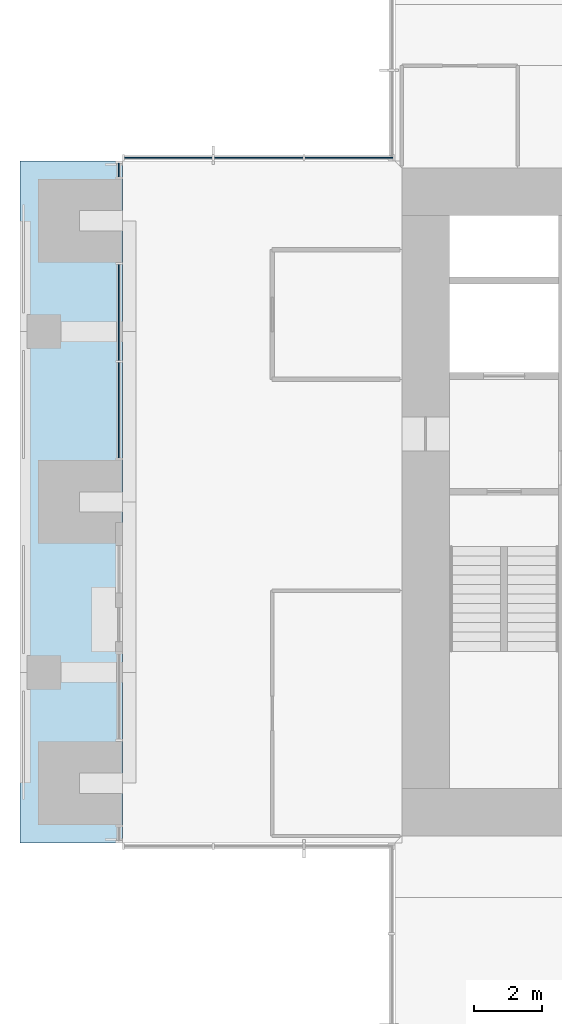
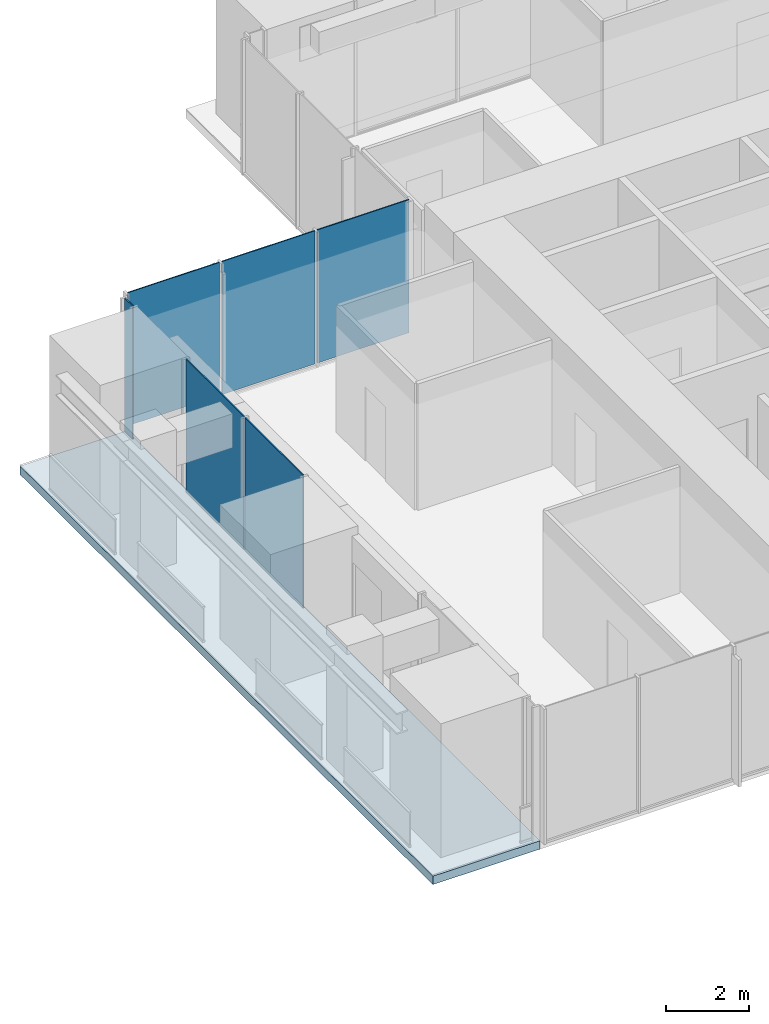
# One storey, part 8 of 17: 6 plates, 1 slab, 3 elements without a shape of their own.
"""IFC4 building model written with IfcOpenShell, lengths in metres."""

from ifc_helpers import new_model, si_unit, direction, frame, origin, origin_2d, place, context, subcontext, project, spatial, polyline, rectangle, outline, extrude, material, layer, layer_set, type_object, element, aggregate, save


model = new_model("IFC4")

# Units and contexts
model_context = context("Model", 3, precision=1e-05, world=origin(), true_north=direction((0.0, 1.0)))
body_context = subcontext(model_context, "Body", "Model", "MODEL_VIEW")
ifc_project = project(units=[si_unit("LENGTHUNIT", "METRE"), si_unit("AREAUNIT", "SQUARE_METRE"), si_unit("VOLUMEUNIT", "CUBIC_METRE"), si_unit("PLANEANGLEUNIT", "RADIAN"), si_unit("MASSUNIT", "GRAM", prefix="KILO")], contexts=[model_context])

# Site, building, storey
site_placement = place(None, origin())
site = spatial("IfcSite", under=ifc_project, at=site_placement, CompositionType="ELEMENT")
building_placement = place(site_placement, origin())
building = spatial("IfcBuilding", under=site, at=building_placement, Name="Svetlomir Tower", CompositionType="ELEMENT")
storey_placement = place(building_placement, frame((0.0, 0.0, 170.5)))
storey = spatial("IfcBuildingStorey", under=building, at=storey_placement, Name="L40", CompositionType="ELEMENT", Elevation=170.5)

# Curtain wall, plates
ifc_material_1 = material(Name="Bronze anodised aluminium curtain wall", Category="aluminium")
curtain_wall_type = type_object("IfcCurtainWallType", Name="CURTAIN WALL CW1 TOWER OFFICE", PredefinedType="NOTDEFINED", material=ifc_material_1)
curtain_wall_1_placement = place(storey_placement, origin())
curtain_wall_1 = element("IfcCurtainWall", 1, at=curtain_wall_1_placement, inside=storey, type_object=curtain_wall_type, Name="Curtain wall CW1 L40", PredefinedType="NOTDEFINED")
ifc_material_2 = material(Name="Tinted double glazed unit", Category="glass")
ifc_layer_1 = layer(ifc_material_2, 0.031982421875)
ifc_layer_set_1 = layer_set([ifc_layer_1], Name="Tinted double glazed unit")
plate_type = type_object("IfcPlateType", Name="CW1 GLAZED PANEL 32", PredefinedType="CURTAIN_PANEL", material=ifc_layer_set_1)
plate_1_placement = place(storey_placement, frame((9.650390625, 31.10009765625, 0.06494140625), z_axis=(0.0, 0.0, 1.0), x_axis=(-1.0, 0.0, 0.0)))
plate_1 = element("IfcPlate", 2, at=plate_1_placement, type_object=plate_type, Name="CW1 panel 1.1", PredefinedType="CURTAIN_PANEL", context=body_context, shape_type="SweptSolid", body=[
    extrude(rectangle(XDim=2.569091796875, YDim=0.031982421875, at=origin_2d()), origin(), (0.0, 0.0, 1.0), 3.93505859375),
])
plate_2_placement = place(storey_placement, frame((7.0, 31.10009765625, 0.06494140625), z_axis=(0.0, 0.0, 1.0), x_axis=(-1.0, 0.0, 0.0)))
plate_2 = element("IfcPlate", 3, at=plate_2_placement, type_object=plate_type, Name="CW1 panel 2.1", PredefinedType="CURTAIN_PANEL", context=body_context, shape_type="SweptSolid", body=[
    extrude(rectangle(XDim=2.6015625, YDim=0.031982421875, at=origin_2d()), origin(), (0.0, 0.0, 1.0), 3.93505859375),
])
plate_3_placement = place(storey_placement, frame((4.349609375, 31.10009765625, 0.06494140625), z_axis=(0.0, 0.0, 1.0), x_axis=(-1.0, 0.0, 0.0)))
plate_3 = element("IfcPlate", 4, at=plate_3_placement, type_object=plate_type, Name="CW1 panel 3.1", PredefinedType="CURTAIN_PANEL", context=body_context, shape_type="SweptSolid", body=[
    extrude(rectangle(XDim=2.569091796875, YDim=0.031982421875, at=origin_2d()), origin(), (0.0, 0.0, 1.0), 3.93505859375),
])
aggregate(curtain_wall_1, [plate_1, plate_2, plate_3])

# Curtain wall, plate
curtain_wall_2_placement = place(storey_placement, origin())
curtain_wall_2 = element("IfcCurtainWall", 5, at=curtain_wall_2_placement, inside=storey, type_object=curtain_wall_type, Name="Curtain wall CW1 L40", PredefinedType="NOTDEFINED")
plate_4_placement = place(storey_placement, frame((2.89990234375, 30.737548828125, 0.06494140625), z_axis=(0.0, 0.0, 1.0), x_axis=(0.0, -1.0, 0.0)))
plate_4 = element("IfcPlate", 6, at=plate_4_placement, type_object=plate_type, Name="CW1 panel 1.1", PredefinedType="CURTAIN_PANEL", context=body_context, shape_type="SweptSolid", body=[
    extrude(rectangle(XDim=0.39501953125, YDim=0.031982421875, at=origin_2d()), origin(), (0.0, 0.0, 1.0), 3.93505859375),
])
aggregate(curtain_wall_2, [plate_4])

# Curtain wall, plates
curtain_wall_3_placement = place(storey_placement, origin())
curtain_wall_3 = element("IfcCurtainWall", 7, at=curtain_wall_3_placement, inside=storey, type_object=curtain_wall_type, Name="Curtain wall CW1 L40", PredefinedType="NOTDEFINED")
plate_5_placement = place(storey_placement, frame((2.89990234375, 26.558837890625, 0.06494140625), z_axis=(0.0, 0.0, 1.0), x_axis=(0.0, -1.0, 0.0)))
plate_5 = element("IfcPlate", 8, at=plate_5_placement, type_object=plate_type, Name="CW1 panel 1.1", PredefinedType="CURTAIN_PANEL", context=body_context, shape_type="SweptSolid", body=[
    extrude(rectangle(XDim=2.802490234375, YDim=0.031982421875, at=origin_2d()), origin(), (0.0, 0.0, 1.0), 3.93505859375),
])
plate_6_placement = place(storey_placement, frame((2.89990234375, 23.691162109375, 0.06494140625), z_axis=(0.0, 0.0, 1.0), x_axis=(0.0, -1.0, 0.0)))
plate_6 = element("IfcPlate", 9, at=plate_6_placement, type_object=plate_type, Name="CW1 panel 2.1", PredefinedType="CURTAIN_PANEL", context=body_context, shape_type="SweptSolid", body=[
    extrude(rectangle(XDim=2.802490234375, YDim=0.031982421875, at=origin_2d()), origin(), (0.0, 0.0, 1.0), 3.93505859375),
])
aggregate(curtain_wall_3, [plate_5, plate_6])

# Slab
ifc_material_3 = material(Name="Concrete C60/75", Category="concrete")
ifc_layer_2 = layer(ifc_material_3, 0.25)
ifc_layer_set_2 = layer_set([ifc_layer_2], Name="Concrete C60/75")
slab_type = type_object("IfcSlabType", Name="PLANTED LOGGIA SLAB 250", PredefinedType="FLOOR", material=ifc_layer_set_2)
slab_placement = place(storey_placement, frame((0.0, 0.0, -0.25)))
element("IfcSlab", 10, at=slab_placement, inside=storey, type_object=slab_type, Name="L40 W planted loggia", PredefinedType="FLOOR", context=body_context, shape_type="SweptSolid", body=[
    extrude(outline(polyline([(0.0, 11.0), (3.0, 11.0), (3.0, 31.0), (0.0, 31.0), (0.0, 11.0)])), origin(), (0.0, 0.0, 1.0), 0.25),
])

save(model, "model.ifc")
